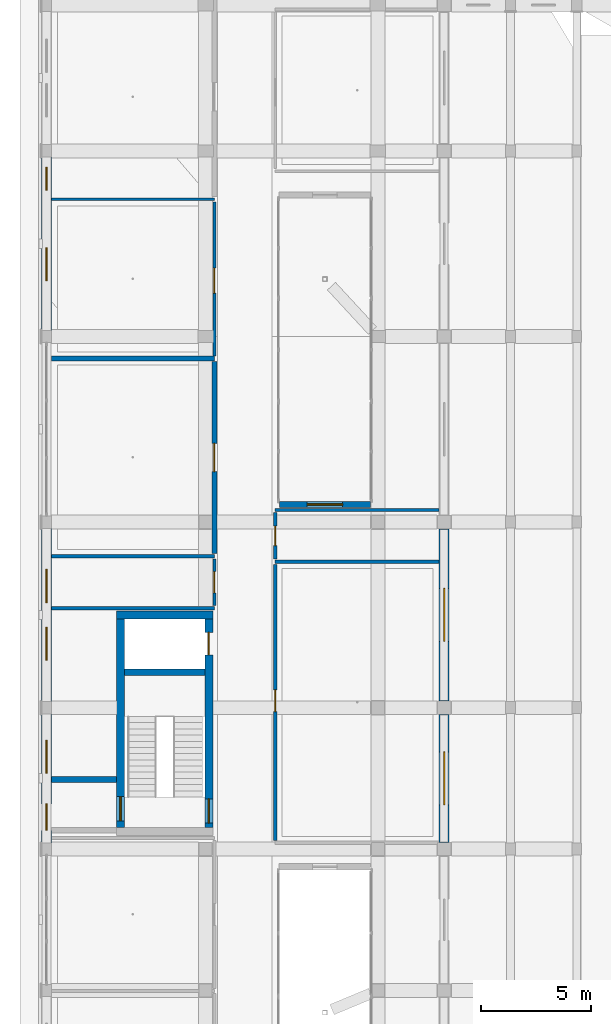
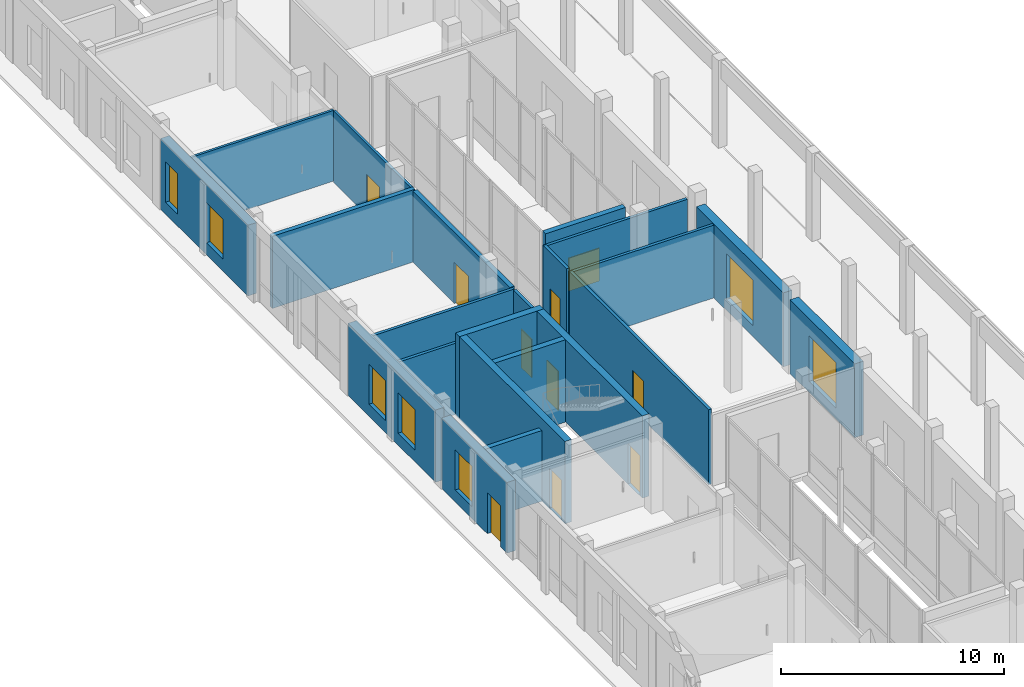
# One storey, part 48 of 88: 22 walls, 9 doors, 8 windows, 17 openings.
"""IFC4 building model written with IfcOpenShell, lengths in metres."""

from ifc_helpers import new_model, si_unit, derived_unit, direction, frame, frame_2d, origin, origin_with_axes, place, context, subcontext, project, spatial, rectangle, extrude, material, layer, layer_set, type_object, element, fill, save


model = new_model("IFC4")

# Units and contexts
model_context = context("Model", 3, precision=1e-05, world=origin(), true_north=direction((0.0, 1.0)))
body_context = subcontext(model_context, "Body", "Model", "MODEL_VIEW")
ifc_project = project(units=[si_unit("LENGTHUNIT", "METRE"), si_unit("AREAUNIT", "SQUARE_METRE"), si_unit("VOLUMEUNIT", "CUBIC_METRE"), si_unit("PLANEANGLEUNIT", "RADIAN"), si_unit("MASSUNIT", "GRAM", prefix="KILO"), derived_unit("THERMALTRANSMITTANCEUNIT", [(si_unit("POWERUNIT", "WATT"), 1), (si_unit("LENGTHUNIT", "METRE"), -2), (si_unit("THERMODYNAMICTEMPERATUREUNIT", "KELVIN"), -1)])], contexts=[model_context])

# Site, building, storey
site_placement = place(None, origin())
site = spatial("IfcSite", under=ifc_project, at=site_placement, CompositionType="ELEMENT")
building_placement = place(site_placement, origin())
building = spatial("IfcBuilding", under=site, at=building_placement, Name="Braskholm Square Health Centre", CompositionType="ELEMENT")
storey_placement = place(building_placement, origin())
storey = spatial("IfcBuildingStorey", under=building, at=storey_placement, Name="L01", CompositionType="ELEMENT", Elevation=0.0)

# Wall, opening, door
ifc_material_1 = material(Name="Acoustic gypsum board partition")
ifc_layer_1 = layer(ifc_material_1, 0.125)
ifc_layer_set_1 = layer_set([ifc_layer_1], Name="Acoustic gypsum board partition")
wall_type_1 = type_object("IfcWallType", Name="ClinicalExamPartition125", PredefinedType="PARTITIONING", material=ifc_layer_set_1)
wall_1_placement = place(storey_placement, frame((11.800048828125, 71.320068359375, 0.0), z_axis=(0.0, 0.0, 1.0), x_axis=(0.0, 1.0, 0.0)))
wall_1 = element("IfcWall", 1, at=wall_1_placement, inside=storey, type_object=wall_type_1, Name="Interior partition PWALL-L01-0040", PredefinedType="PARTITIONING", context=body_context, shape_type="SweptSolid", body=[
    extrude(rectangle(XDim=6.969970703125, YDim=0.125, at=frame_2d((3.48486328125, 0.0))), origin(), (0.0, 0.0, 1.0), 3.89501953125),
])
opening_1_placement = place(wall_1_placement, frame((2.839111328125, 0.0, 0.0)))
opening_1 = element("IfcOpeningElement", 2, at=opening_1_placement, cuts=wall_1, Name="Opening D-26", PredefinedType="OPENING", context=body_context, shape_type="SweptSolid", body=[
    extrude(rectangle(XDim=1.139892578125, YDim=2.219970703125, at=frame_2d((0.56982421875, 1.10986328125))), frame((0.0, 0.072509765625, 0.0), z_axis=(0.0, -1.0, 0.0), x_axis=(1.0, 0.0, 0.0)), (0.0, 0.0, 1.0), 0.14501953125),
])
ifc_material_2 = material(Name="Architectural bronze anodised aluminium", Category="aluminium")
door_type_1 = type_object("IfcDoorType", Name="DoorExamWide1140x2220", OperationType="NOTDEFINED", PredefinedType="DOOR", material=ifc_material_2)
door_1_placement = place(opening_1_placement, origin_with_axes())
door_1 = element("IfcDoor", 3, at=door_1_placement, inside=storey, type_object=door_type_1, Name="Interior door 0017 L01", OperationType="SINGLE_SWING_LEFT", OverallHeight=2.219970703125, OverallWidth=1.139892578125, PredefinedType="DOOR", context=body_context, shape_type="SweptSolid", body=[
    extrude(rectangle(XDim=1.139892578125, YDim=2.219970703125, at=frame_2d((0.56982421875, 1.10986328125))), frame((0.0, 0.02490234375, 0.0), z_axis=(0.0, -1.0, 0.0), x_axis=(1.0, 0.0, 0.0)), (0.0, 0.0, 1.0), 0.050048828125),
])
fill(opening_1, door_1)

# Wall
wall_2_placement = place(storey_placement, frame((4.425048828125, 78.409912109375, 0.0), z_axis=(0.0, 0.0, 1.0), x_axis=(1.0, 0.0, 0.0)))
element("IfcWall", 4, at=wall_2_placement, inside=storey, type_object=wall_type_1, Name="Interior partition PWALL-L01-0041", PredefinedType="PARTITIONING", context=body_context, shape_type="SweptSolid", body=[
    extrude(rectangle(XDim=7.375, YDim=0.125, at=frame_2d((3.6875, 0.0))), origin(), (0.0, 0.0, 1.0), 3.864990234375),
])

# Wall, opening, door
ifc_layer_2 = layer(ifc_material_1, 0.14990234375)
ifc_layer_set_2 = layer_set([ifc_layer_2], Name="Acoustic gypsum board partition")
wall_type_2 = type_object("IfcWallType", Name="CorridorAcousticPartition150", PredefinedType="PARTITIONING", material=ifc_layer_set_2)
wall_3_placement = place(storey_placement, frame((11.800048828125, 60.02001953125, 0.0), z_axis=(0.0, 0.0, 1.0), x_axis=(0.0, 1.0, 0.0)))
wall_3 = element("IfcWall", 5, at=wall_3_placement, inside=storey, type_object=wall_type_2, Name="Interior partition PWALL-L01-0035", PredefinedType="PARTITIONING", context=body_context, shape_type="SweptSolid", body=[
    extrude(rectangle(XDim=2.10986328125, YDim=0.14990234375, at=frame_2d((1.054931640625, 0.0))), origin(), (0.0, 0.0, 1.0), 3.89501953125),
])
opening_2_placement = place(wall_3_placement, frame((0.574951171875, 0.0, 0.0)))
opening_2 = element("IfcOpeningElement", 6, at=opening_2_placement, cuts=wall_3, Name="Opening D-05", PredefinedType="OPENING", context=body_context, shape_type="SweptSolid", body=[
    extrude(rectangle(XDim=0.9599609375, YDim=2.10009765625, at=frame_2d((0.47998046875, 1.050048828125))), frame((0.0, 0.0849609375, 0.0), z_axis=(0.0, -1.0, 0.0), x_axis=(1.0, 0.0, 0.0)), (0.0, 0.0, 1.0), 0.169921875),
])
door_type_2 = type_object("IfcDoorType", Name="DoorAccessibleWC960x2100", OperationType="NOTDEFINED", PredefinedType="DOOR", material=ifc_material_2)
door_2_placement = place(opening_2_placement, origin_with_axes())
door_2 = element("IfcDoor", 7, at=door_2_placement, inside=storey, type_object=door_type_2, Name="Interior door 0015 L01", OperationType="SINGLE_SWING_LEFT", OverallHeight=2.10009765625, OverallWidth=0.9599609375, PredefinedType="DOOR", context=body_context, shape_type="SweptSolid", body=[
    extrude(rectangle(XDim=0.9599609375, YDim=2.10009765625, at=frame_2d((0.47998046875, 1.050048828125))), frame((0.0, 0.02490234375, 0.0), z_axis=(0.0, -1.0, 0.0), x_axis=(1.0, 0.0, 0.0)), (0.0, 0.0, 1.0), 0.050048828125),
])
fill(opening_2, door_2)

# Walls
for number, where, z_axis, x_axis, name in (
    (8, (4.425048828125, 62.25, 0.0), (0.0, 0.0, 1.0), (1.0, 0.0, 0.0), "Interior partition PWALL-L01-0036"),
    (9, (4.425048828125, 59.89990234375, 0.0), (0.0, 0.0, 1.0), (1.0, 0.0, 0.0), "Interior partition PWALL-L01-0037"),
):
    element("IfcWall", number, at=place(storey_placement, frame(where, z_axis=z_axis, x_axis=x_axis)), inside=storey, type_object=wall_type_2, Name=name, PredefinedType="PARTITIONING", context=body_context, shape_type="SweptSolid", body=[
        extrude(rectangle(XDim=7.375, YDim=0.14990234375, at=frame_2d((3.6875, 0.0))), origin(), (0.0, 0.0, 1.0), 3.89501953125),
    ])

# Wall, opening, door
wall_4_placement = place(storey_placement, frame((14.550048828125, 49.39990234375, 0.0), z_axis=(0.0, 0.0, 1.0), x_axis=(0.0, 1.0, 0.0)))
wall_4 = element("IfcWall", 10, at=wall_4_placement, inside=storey, type_object=wall_type_2, Name="Interior partition PWALL-L01-0058", PredefinedType="PARTITIONING", context=body_context, shape_type="SweptSolid", body=[
    extrude(rectangle(XDim=12.47998046875, YDim=0.14990234375, at=frame_2d((6.239990234375, 0.0))), origin(), (0.0, 0.0, 1.0), 4.094970703125),
])
opening_3_placement = place(wall_4_placement, frame((5.824951171875, 0.0, 0.0)))
opening_3 = element("IfcOpeningElement", 11, at=opening_3_placement, cuts=wall_4, Name="Opening D-10", PredefinedType="OPENING", context=body_context, shape_type="SweptSolid", body=[
    extrude(rectangle(XDim=0.97998046875, YDim=2.1201171875, at=frame_2d((0.489990234375, 1.06005859375))), frame((0.0, 0.0849609375, 0.0), z_axis=(0.0, -1.0, 0.0), x_axis=(1.0, 0.0, 0.0)), (0.0, 0.0, 1.0), 0.169921875),
])
door_type_3 = type_object("IfcDoorType", Name="DoorUtilityStore980x2120", OperationType="NOTDEFINED", PredefinedType="DOOR", material=ifc_material_2)
door_3_placement = place(opening_3_placement, frame((0.97998046875, 0.0, 0.0), z_axis=(0.0, 0.0, 1.0), x_axis=(-1.0, 0.0, 0.0)))
door_3 = element("IfcDoor", 12, at=door_3_placement, inside=storey, type_object=door_type_3, Name="Interior door 0026 L01", OperationType="SINGLE_SWING_LEFT", OverallHeight=2.1201171875, OverallWidth=0.97998046875, PredefinedType="DOOR", context=body_context, shape_type="SweptSolid", body=[
    extrude(rectangle(XDim=0.97998046875, YDim=2.1201171875, at=frame_2d((0.489990234375, 1.06005859375))), frame((0.0, 0.02490234375, 0.0), z_axis=(0.0, -1.0, 0.0), x_axis=(1.0, 0.0, 0.0)), (0.0, 0.0, 1.0), 0.050048828125),
])
fill(opening_3, door_3)

# Wall
wall_5_placement = place(storey_placement, frame((14.550048828125, 62.0, 0.0), z_axis=(0.0, 0.0, 1.0), x_axis=(1.0, 0.0, 0.0)))
element("IfcWall", 13, at=wall_5_placement, inside=storey, type_object=wall_type_2, Name="Interior partition PWALL-L01-0060", PredefinedType="PARTITIONING", context=body_context, shape_type="SweptSolid", body=[
    extrude(rectangle(XDim=7.425048828125, YDim=0.14990234375, at=frame_2d((3.71240234375, 0.0))), origin(), (0.0, 0.0, 1.0), 3.97509765625),
])

# Wall, opening, door
wall_6_placement = place(storey_placement, frame((14.550048828125, 62.1201171875, 0.0), z_axis=(0.0, 0.0, 1.0), x_axis=(0.0, 1.0, 0.0)))
wall_6 = element("IfcWall", 14, at=wall_6_placement, inside=storey, type_object=wall_type_2, Name="Interior partition PWALL-L01-0061", PredefinedType="PARTITIONING", context=body_context, shape_type="SweptSolid", body=[
    extrude(rectangle(XDim=2.10986328125, YDim=0.14990234375, at=frame_2d((1.054931640625, 0.0))), origin(), (0.0, 0.0, 1.0), 4.094970703125),
])
opening_4_placement = place(wall_6_placement, frame((0.614990234375, 0.0, 0.0)))
opening_4 = element("IfcOpeningElement", 15, at=opening_4_placement, cuts=wall_6, Name="Opening D-06", PredefinedType="OPENING", context=body_context, shape_type="SweptSolid", body=[
    extrude(rectangle(XDim=0.8798828125, YDim=2.10009765625, at=frame_2d((0.43994140625, 1.050048828125))), frame((0.0, 0.0849609375, 0.0), z_axis=(0.0, -1.0, 0.0), x_axis=(1.0, 0.0, 0.0)), (0.0, 0.0, 1.0), 0.169921875),
])
door_type_4 = type_object("IfcDoorType", Name="DoorStaffWC880x2100", OperationType="NOTDEFINED", PredefinedType="DOOR", material=ifc_material_2)
door_4_placement = place(opening_4_placement, frame((0.8798828125, 0.0, 0.0), z_axis=(0.0, 0.0, 1.0), x_axis=(-1.0, 0.0, 0.0)))
door_4 = element("IfcDoor", 16, at=door_4_placement, inside=storey, type_object=door_type_4, Name="Interior door 0027 L01", OperationType="SINGLE_SWING_RIGHT", OverallHeight=2.10009765625, OverallWidth=0.8798828125, PredefinedType="DOOR", context=body_context, shape_type="SweptSolid", body=[
    extrude(rectangle(XDim=0.8798828125, YDim=2.10009765625, at=frame_2d((0.43994140625, 1.050048828125))), frame((0.0, 0.02490234375, 0.0), z_axis=(0.0, -1.0, 0.0), x_axis=(1.0, 0.0, 0.0)), (0.0, 0.0, 1.0), 0.050048828125),
])
fill(opening_4, door_4)

# Wall
wall_7_placement = place(storey_placement, frame((14.550048828125, 64.35009765625, 0.0), z_axis=(0.0, 0.0, 1.0), x_axis=(1.0, 0.0, 0.0)))
element("IfcWall", 17, at=wall_7_placement, inside=storey, type_object=wall_type_2, Name="Interior partition PWALL-L01-0062", PredefinedType="PARTITIONING", context=body_context, shape_type="SweptSolid", body=[
    extrude(rectangle(XDim=7.425048828125, YDim=0.14990234375, at=frame_2d((3.71240234375, 0.0))), origin(), (0.0, 0.0, 1.0), 3.97509765625),
])

# Wall, openings, door, window
ifc_material_3 = material(Name="Mankato-Kasota dolomitic limestone ashlar", Category="masonry")
ifc_layer_3 = layer(ifc_material_3, 0.449951171875)
ifc_layer_set_3 = layer_set([ifc_layer_3], Name="Mankato-Kasota dolomitic limestone ashlar")
wall_type_3 = type_object("IfcWallType", Name="ExteriorKasotaWall450", PredefinedType="SOLIDWALL", material=ifc_layer_set_3)
wall_8_placement = place(storey_placement, frame((4.199951171875, 55.117919921875, 0.0), z_axis=(0.0, 0.0, 1.0), x_axis=(0.0, -1.0, 0.0)))
wall_8 = element("IfcWall", 18, at=wall_8_placement, inside=storey, type_object=wall_type_3, Name="Exterior wall EWALL-L01-0005", PredefinedType="SOLIDWALL", context=body_context, shape_type="SweptSolid", body=[
    extrude(rectangle(XDim=5.8359375, YDim=0.449951171875, at=frame_2d((2.91796875, 0.0))), origin(), (0.0, 0.0, 1.0), 3.8701171875),
])
opening_5_placement = place(wall_8_placement, frame((4.069091796875, 0.0, 0.0)))
opening_5 = element("IfcOpeningElement", 19, at=opening_5_placement, cuts=wall_8, Name="Opening D-E3", PredefinedType="OPENING", context=body_context, shape_type="SweptSolid", body=[
    extrude(rectangle(XDim=1.199951171875, YDim=2.25, at=frame_2d((0.60009765625, 1.125))), frame((0.0, 0.23486328125, 0.0), z_axis=(0.0, -1.0, 0.0), x_axis=(1.0, 0.0, 0.0)), (0.0, 0.0, 1.0), 0.469970703125),
])
opening_6_placement = place(wall_8_placement, frame((1.195068359375, 0.0, 0.64990234375)))
opening_6 = element("IfcOpeningElement", 20, at=opening_6_placement, cuts=wall_8, Name="Opening WN-03", PredefinedType="OPENING", context=body_context, shape_type="SweptSolid", body=[
    extrude(rectangle(XDim=1.5, YDim=2.199951171875, at=frame_2d((0.75, 1.10009765625))), frame((0.0, 0.23486328125, 0.0), z_axis=(0.0, -1.0, 0.0), x_axis=(1.0, 0.0, 0.0)), (0.0, 0.0, 1.0), 0.469970703125),
])
door_type_5 = type_object("IfcDoorType", Name="DoorStairExitDischarge1200x2250", OperationType="NOTDEFINED", PredefinedType="DOOR", material=ifc_material_2)
door_5_placement = place(opening_5_placement, frame((1.199951171875, 0.0, 0.0), z_axis=(0.0, 0.0, 1.0), x_axis=(-1.0, 0.0, 0.0)))
door_5 = element("IfcDoor", 21, at=door_5_placement, inside=storey, type_object=door_type_5, Name="Exterior door 0002 L01", OperationType="SINGLE_SWING_LEFT", OverallHeight=2.25, OverallWidth=1.199951171875, PredefinedType="DOOR", context=body_context, shape_type="SweptSolid", body=[
    extrude(rectangle(XDim=1.199951171875, YDim=2.25, at=frame_2d((0.60009765625, 1.125))), frame((0.0, 0.02490234375, 0.0), z_axis=(0.0, -1.0, 0.0), x_axis=(1.0, 0.0, 0.0)), (0.0, 0.0, 1.0), 0.050048828125),
])
fill(opening_5, door_5)
ifc_material_4 = material(Name="Low-E triple insulating glass (VLT 0.64)", Category="glass")
window_type_1 = type_object("IfcWindowType", Name="WinArtDecoTwin1500x2200", PartitioningType="SINGLE_PANEL", PredefinedType="WINDOW", material=ifc_material_4)
window_1_placement = place(opening_6_placement, origin_with_axes())
window_1 = element("IfcWindow", 22, at=window_1_placement, inside=storey, type_object=window_type_1, Name="Exterior window 0008 L01", OverallHeight=2.199951171875, OverallWidth=1.5, PartitioningType="SINGLE_PANEL", PredefinedType="WINDOW", context=body_context, shape_type="SweptSolid", body=[
    extrude(rectangle(XDim=1.5, YDim=2.199951171875, at=frame_2d((0.75, 1.10009765625))), frame((0.0, 0.030029296875, 0.0), z_axis=(0.0, -1.0, 0.0), x_axis=(1.0, 0.0, 0.0)), (0.0, 0.0, 1.0), 0.06005859375),
])
fill(opening_6, window_1)

# Wall, openings, windows
wall_9_placement = place(storey_placement, frame((4.199951171875, 63.51806640625, 0.0), z_axis=(0.0, 0.0, 1.0), x_axis=(0.0, -1.0, 0.0)))
wall_9 = element("IfcWall", 23, at=wall_9_placement, inside=storey, type_object=wall_type_3, Name="Exterior wall EWALL-L01-0006", PredefinedType="SOLIDWALL", context=body_context, shape_type="SweptSolid", body=[
    extrude(rectangle(XDim=7.836181640625, YDim=0.449951171875, at=frame_2d((3.91796875, 0.0))), origin(), (0.0, 0.0, 1.0), 3.949951171875),
])
opening_7_placement = place(wall_9_placement, frame((1.862060546875, 0.0, 0.64990234375)))
opening_7 = element("IfcOpeningElement", 24, at=opening_7_placement, cuts=wall_9, Name="Opening WN-03", PredefinedType="OPENING", context=body_context, shape_type="SweptSolid", body=[
    extrude(rectangle(XDim=1.5, YDim=2.199951171875, at=frame_2d((0.75, 1.10009765625))), frame((0.0, 0.23486328125, 0.0), z_axis=(0.0, -1.0, 0.0), x_axis=(1.0, 0.0, 0.0)), (0.0, 0.0, 1.0), 0.469970703125),
])
opening_8_placement = place(wall_9_placement, frame((4.47412109375, 0.0, 0.64990234375)))
opening_8 = element("IfcOpeningElement", 25, at=opening_8_placement, cuts=wall_9, Name="Opening WN-03", PredefinedType="OPENING", context=body_context, shape_type="SweptSolid", body=[
    extrude(rectangle(XDim=1.5, YDim=2.199951171875, at=frame_2d((0.75, 1.10009765625))), frame((0.0, 0.23486328125, 0.0), z_axis=(0.0, -1.0, 0.0), x_axis=(1.0, 0.0, 0.0)), (0.0, 0.0, 1.0), 0.469970703125),
])
window_2_placement = place(opening_7_placement, origin_with_axes())
window_2 = element("IfcWindow", 26, at=window_2_placement, inside=storey, type_object=window_type_1, Name="Exterior window 0009 L01", OverallHeight=2.199951171875, OverallWidth=1.5, PartitioningType="SINGLE_PANEL", PredefinedType="WINDOW", context=body_context, shape_type="SweptSolid", body=[
    extrude(rectangle(XDim=1.5, YDim=2.199951171875, at=frame_2d((0.75, 1.10009765625))), frame((0.0, 0.030029296875, 0.0), z_axis=(0.0, -1.0, 0.0), x_axis=(1.0, 0.0, 0.0)), (0.0, 0.0, 1.0), 0.06005859375),
])
fill(opening_7, window_2)
window_3_placement = place(opening_8_placement, origin_with_axes())
window_3 = element("IfcWindow", 27, at=window_3_placement, inside=storey, type_object=window_type_1, Name="Exterior window 0010 L01", OverallHeight=2.199951171875, OverallWidth=1.5, PartitioningType="SINGLE_PANEL", PredefinedType="WINDOW", context=body_context, shape_type="SweptSolid", body=[
    extrude(rectangle(XDim=1.5, YDim=2.199951171875, at=frame_2d((0.75, 1.10009765625))), frame((0.0, 0.030029296875, 0.0), z_axis=(0.0, -1.0, 0.0), x_axis=(1.0, 0.0, 0.0)), (0.0, 0.0, 1.0), 0.06005859375),
])
fill(opening_8, window_3)

wall_10_placement = place(storey_placement, frame((4.199951171875, 80.318115234375, 0.0), z_axis=(0.0, 0.0, 1.0), x_axis=(0.0, -1.0, 0.0)))
wall_10 = element("IfcWall", 28, at=wall_10_placement, inside=storey, type_object=wall_type_3, Name="Exterior wall EWALL-L01-0007", PredefinedType="SOLIDWALL", context=body_context, shape_type="SweptSolid", body=[
    extrude(rectangle(XDim=7.836181640625, YDim=0.449951171875, at=frame_2d((3.91796875, 0.0))), origin(), (0.0, 0.0, 1.0), 3.8701171875),
])
opening_9_placement = place(wall_10_placement, frame((0.447998046875, 0.0, 0.64990234375)))
opening_9 = element("IfcOpeningElement", 29, at=opening_9_placement, cuts=wall_10, Name="Opening WN-02", PredefinedType="OPENING", context=body_context, shape_type="SweptSolid", body=[
    extrude(rectangle(XDim=1.050048828125, YDim=2.199951171875, at=frame_2d((0.52490234375, 1.10009765625))), frame((0.0, 0.23486328125, 0.0), z_axis=(0.0, -1.0, 0.0), x_axis=(1.0, 0.0, 0.0)), (0.0, 0.0, 1.0), 0.469970703125),
])
opening_10_placement = place(wall_10_placement, frame((4.10400390625, 0.0, 0.64990234375)))
opening_10 = element("IfcOpeningElement", 30, at=opening_10_placement, cuts=wall_10, Name="Opening WN-03", PredefinedType="OPENING", context=body_context, shape_type="SweptSolid", body=[
    extrude(rectangle(XDim=1.5, YDim=2.199951171875, at=frame_2d((0.75, 1.10009765625))), frame((0.0, 0.23486328125, 0.0), z_axis=(0.0, -1.0, 0.0), x_axis=(1.0, 0.0, 0.0)), (0.0, 0.0, 1.0), 0.469970703125),
])
window_type_2 = type_object("IfcWindowType", Name="WinArtDecoLancet1050x2200", PartitioningType="SINGLE_PANEL", PredefinedType="WINDOW", material=ifc_material_4)
window_4_placement = place(opening_9_placement, origin_with_axes())
window_4 = element("IfcWindow", 31, at=window_4_placement, inside=storey, type_object=window_type_2, Name="Exterior window 0011 L01", OverallHeight=2.199951171875, OverallWidth=1.050048828125, PartitioningType="SINGLE_PANEL", PredefinedType="WINDOW", context=body_context, shape_type="SweptSolid", body=[
    extrude(rectangle(XDim=1.050048828125, YDim=2.199951171875, at=frame_2d((0.52490234375, 1.10009765625))), frame((0.0, 0.030029296875, 0.0), z_axis=(0.0, -1.0, 0.0), x_axis=(1.0, 0.0, 0.0)), (0.0, 0.0, 1.0), 0.06005859375),
])
fill(opening_9, window_4)
window_5_placement = place(opening_10_placement, origin_with_axes())
window_5 = element("IfcWindow", 32, at=window_5_placement, inside=storey, type_object=window_type_1, Name="Exterior window 0012 L01", OverallHeight=2.199951171875, OverallWidth=1.5, PartitioningType="SINGLE_PANEL", PredefinedType="WINDOW", context=body_context, shape_type="SweptSolid", body=[
    extrude(rectangle(XDim=1.5, YDim=2.199951171875, at=frame_2d((0.75, 1.10009765625))), frame((0.0, 0.030029296875, 0.0), z_axis=(0.0, -1.0, 0.0), x_axis=(1.0, 0.0, 0.0)), (0.0, 0.0, 1.0), 0.06005859375),
])
fill(opening_10, window_5)

# Wall, opening, window
wall_11_placement = place(storey_placement, frame((22.199951171875, 49.302001953125, 0.0), z_axis=(0.0, 0.0, 1.0), x_axis=(0.0, 1.0, 0.0)))
wall_11 = element("IfcWall", 33, at=wall_11_placement, inside=storey, type_object=wall_type_3, Name="Exterior wall EWALL-L01-0101", PredefinedType="SOLIDWALL", context=body_context, shape_type="SweptSolid", body=[
    extrude(rectangle(XDim=5.7958984375, YDim=0.449951171875, at=frame_2d((2.89794921875, 0.0))), origin(), (0.0, 0.0, 1.0), 4.0400390625),
])
opening_11_placement = place(wall_11_placement, frame((1.697998046875, 0.0, 0.60009765625)))
opening_11 = element("IfcOpeningElement", 34, at=opening_11_placement, cuts=wall_11, Name="Opening WN-05", PredefinedType="OPENING", context=body_context, shape_type="SweptSolid", body=[
    extrude(rectangle(XDim=2.39990234375, YDim=2.5, at=frame_2d((1.199951171875, 1.25))), frame((0.0, 0.23486328125, 0.0), z_axis=(0.0, -1.0, 0.0), x_axis=(1.0, 0.0, 0.0)), (0.0, 0.0, 1.0), 0.469970703125),
])
window_type_3 = type_object("IfcWindowType", Name="WinStorefrontSquare2400x2500", PartitioningType="SINGLE_PANEL", PredefinedType="WINDOW", material=ifc_material_4)
window_6_placement = place(opening_11_placement, origin_with_axes())
window_6 = element("IfcWindow", 35, at=window_6_placement, inside=storey, type_object=window_type_3, Name="Exterior window 0173 L01", OverallHeight=2.5, OverallWidth=2.39990234375, PartitioningType="SINGLE_PANEL", PredefinedType="WINDOW", context=body_context, shape_type="SweptSolid", body=[
    extrude(rectangle(XDim=2.39990234375, YDim=2.5, at=frame_2d((1.199951171875, 1.25))), frame((0.0, 0.030029296875, 0.0), z_axis=(0.0, -1.0, 0.0), x_axis=(1.0, 0.0, 0.0)), (0.0, 0.0, 1.0), 0.06005859375),
])
fill(opening_11, window_6)

wall_12_placement = place(storey_placement, frame((22.199951171875, 55.701904296875, 0.0), z_axis=(0.0, 0.0, 1.0), x_axis=(0.0, 1.0, 0.0)))
wall_12 = element("IfcWall", 36, at=wall_12_placement, inside=storey, type_object=wall_type_3, Name="Exterior wall EWALL-L01-0102", PredefinedType="SOLIDWALL", context=body_context, shape_type="SweptSolid", body=[
    extrude(rectangle(XDim=7.796142578125, YDim=0.449951171875, at=frame_2d((3.89794921875, 0.0))), origin(), (0.0, 0.0, 1.0), 4.0400390625),
])
opening_12_placement = place(wall_12_placement, frame((2.697998046875, 0.0, 0.60009765625)))
opening_12 = element("IfcOpeningElement", 37, at=opening_12_placement, cuts=wall_12, Name="Opening WN-05", PredefinedType="OPENING", context=body_context, shape_type="SweptSolid", body=[
    extrude(rectangle(XDim=2.39990234375, YDim=2.5, at=frame_2d((1.199951171875, 1.25))), frame((0.0, 0.23486328125, 0.0), z_axis=(0.0, -1.0, 0.0), x_axis=(1.0, 0.0, 0.0)), (0.0, 0.0, 1.0), 0.469970703125),
])
window_7_placement = place(opening_12_placement, origin_with_axes())
window_7 = element("IfcWindow", 38, at=window_7_placement, inside=storey, type_object=window_type_3, Name="Exterior window 0174 L01", OverallHeight=2.5, OverallWidth=2.39990234375, PartitioningType="SINGLE_PANEL", PredefinedType="WINDOW", context=body_context, shape_type="SweptSolid", body=[
    extrude(rectangle(XDim=2.39990234375, YDim=2.5, at=frame_2d((1.199951171875, 1.25))), frame((0.0, 0.030029296875, 0.0), z_axis=(0.0, -1.0, 0.0), x_axis=(1.0, 0.0, 0.0)), (0.0, 0.0, 1.0), 0.06005859375),
])
fill(opening_12, window_7)

ifc_material_5 = material(Name="Precast concrete C40/50 architectural white", Category="concrete")
ifc_layer_4 = layer(ifc_material_5, 0.280029296875)
ifc_layer_set_4 = layer_set([ifc_layer_4], Name="Precast concrete C40/50 architectural white")
wall_type_4 = type_object("IfcWallType", Name="ExteriorPrecastSpandrelWall280", PredefinedType="SOLIDWALL", material=ifc_layer_set_4)
wall_13_placement = place(storey_placement, frame((18.865966796875, 64.60009765625, 0.0), z_axis=(0.0, 0.0, 1.0), x_axis=(-1.0, 0.0, 0.0)))
wall_13 = element("IfcWall", 39, at=wall_13_placement, inside=storey, type_object=wall_type_4, Name="Exterior wall EWALL-L01-0295", PredefinedType="SOLIDWALL", context=body_context, shape_type="SweptSolid", body=[
    extrude(rectangle(XDim=4.132080078125, YDim=0.280029296875, at=frame_2d((2.06591796875, 0.0))), origin(), (0.0, 0.0, 1.0), 4.5),
])
opening_13_placement = place(wall_13_placement, frame((1.26611328125, 0.0, 0.85009765625)))
opening_13 = element("IfcOpeningElement", 40, at=opening_13_placement, cuts=wall_13, Name="Opening WN-27", PredefinedType="OPENING", context=body_context, shape_type="SweptSolid", body=[
    extrude(rectangle(XDim=1.60009765625, YDim=1.800048828125, at=frame_2d((0.800048828125, 0.89990234375))), frame((0.0, 0.14990234375, 0.0), z_axis=(0.0, -1.0, 0.0), x_axis=(1.0, 0.0, 0.0)), (0.0, 0.0, 1.0), 0.300048828125),
])
window_type_4 = type_object("IfcWindowType", Name="WinLightCourt1600x1800", PartitioningType="SINGLE_PANEL", PredefinedType="WINDOW", material=ifc_material_4)
window_8_placement = place(opening_13_placement, origin_with_axes())
window_8 = element("IfcWindow", 41, at=window_8_placement, inside=storey, type_object=window_type_4, Name="Exterior window 0341 L01", OverallHeight=1.800048828125, OverallWidth=1.60009765625, PartitioningType="SINGLE_PANEL", PredefinedType="WINDOW", context=body_context, shape_type="SweptSolid", body=[
    extrude(rectangle(XDim=1.60009765625, YDim=1.800048828125, at=frame_2d((0.800048828125, 0.89990234375))), frame((0.0, 0.030029296875, 0.0), z_axis=(0.0, -1.0, 0.0), x_axis=(1.0, 0.0, 0.0)), (0.0, 0.0, 1.0), 0.06005859375),
])
fill(opening_13, window_8)

# Wall
ifc_material_6 = material(Name="Concrete C35/45 (f'c = 35 MPa)", Category="concrete")
ifc_layer_5 = layer(ifc_material_6, 0.25)
ifc_layer_set_5 = layer_set([ifc_layer_5], Name="Concrete C35/45 (f'c = 35 MPa)")
wall_type_5 = type_object("IfcWallType", Name="FireBarrierWall250", PredefinedType="SOLIDWALL", material=ifc_layer_set_5)
wall_14_placement = place(storey_placement, frame((4.425048828125, 52.14990234375, 0.0), z_axis=(0.0, 0.0, 1.0), x_axis=(1.0, 0.0, 0.0)))
element("IfcWall", 42, at=wall_14_placement, inside=storey, type_object=wall_type_5, Name="Interior partition PWALL-L01-0019", PredefinedType="SOLIDWALL", context=body_context, shape_type="SweptSolid", body=[
    extrude(rectangle(XDim=2.945068359375, YDim=0.25, at=frame_2d((1.47265625, 0.0))), origin(), (0.0, 0.0, 1.0), 3.864990234375),
])

# Wall, opening, door
ifc_material_7 = material(Name="Fire-rated gypsum board barrier")
ifc_layer_6 = layer(ifc_material_7, 0.22509765625)
ifc_layer_set_6 = layer_set([ifc_layer_6], Name="Fire-rated gypsum board barrier")
wall_type_6 = type_object("IfcWallType", Name="ImagingShieldedWall225", PredefinedType="SOLIDWALL", material=ifc_layer_set_6)
wall_15_placement = place(storey_placement, frame((11.800048828125, 62.3701171875, 0.0), z_axis=(0.0, 0.0, 1.0), x_axis=(0.0, 1.0, 0.0)))
wall_15 = element("IfcWall", 43, at=wall_15_placement, inside=storey, type_object=wall_type_6, Name="Interior partition PWALL-L01-0038", PredefinedType="SOLIDWALL", context=body_context, shape_type="SweptSolid", body=[
    extrude(rectangle(XDim=8.7099609375, YDim=0.22509765625, at=frame_2d((4.35498046875, 0.0))), origin(), (0.0, 0.0, 1.0), 3.89501953125),
])
opening_14_placement = place(wall_15_placement, frame((3.715087890625, 0.0, 0.0)))
opening_14 = element("IfcOpeningElement", 44, at=opening_14_placement, cuts=wall_15, Name="Opening D-20", PredefinedType="OPENING", context=body_context, shape_type="SweptSolid", body=[
    extrude(rectangle(XDim=1.280029296875, YDim=2.25, at=frame_2d((0.64013671875, 1.125))), frame((0.0, 0.12255859375, 0.0), z_axis=(0.0, -1.0, 0.0), x_axis=(1.0, 0.0, 0.0)), (0.0, 0.0, 1.0), 0.2451171875),
])
door_type_6 = type_object("IfcDoorType", Name="DoorLeadXRay1280x2250", OperationType="NOTDEFINED", PredefinedType="DOOR", material=ifc_material_2)
door_6_placement = place(opening_14_placement, origin_with_axes())
door_6 = element("IfcDoor", 45, at=door_6_placement, inside=storey, type_object=door_type_6, Name="Interior door 0016 L01", OperationType="SINGLE_SWING_RIGHT", OverallHeight=2.25, OverallWidth=1.280029296875, PredefinedType="DOOR", context=body_context, shape_type="SweptSolid", body=[
    extrude(rectangle(XDim=1.280029296875, YDim=2.25, at=frame_2d((0.64013671875, 1.125))), frame((0.0, 0.02490234375, 0.0), z_axis=(0.0, -1.0, 0.0), x_axis=(1.0, 0.0, 0.0)), (0.0, 0.0, 1.0), 0.050048828125),
])
fill(opening_14, door_6)

# Walls
wall_16_placement = place(storey_placement, frame((4.425048828125, 71.199951171875, 0.0), z_axis=(0.0, 0.0, 1.0), x_axis=(1.0, 0.0, 0.0)))
element("IfcWall", 46, at=wall_16_placement, inside=storey, type_object=wall_type_6, Name="Interior partition PWALL-L01-0039", PredefinedType="SOLIDWALL", context=body_context, shape_type="SweptSolid", body=[
    extrude(rectangle(XDim=7.375, YDim=0.22509765625, at=frame_2d((3.6875, 0.0))), origin(), (0.0, 0.0, 1.0), 3.945068359375),
])
ifc_material_8 = material(Name="Concrete C40/50 (f'c = 40 MPa)", Category="concrete")
ifc_layer_7 = layer(ifc_material_8, 0.300048828125)
ifc_layer_set_7 = layer_set([ifc_layer_7], Name="Concrete C40/50 (f'c = 40 MPa)")
wall_type_7 = type_object("IfcWallType", Name="ShearCoreWall300", PredefinedType="SHEAR", material=ifc_layer_set_7)
wall_17_placement = place(storey_placement, frame((7.72509765625, 57.0, 0.0), z_axis=(0.0, 0.0, 1.0), x_axis=(1.0, 0.0, 0.0)))
element("IfcWall", 47, at=wall_17_placement, inside=storey, type_object=wall_type_7, Name="Core K2 internal shear divider L01", PredefinedType="SHEAR", context=body_context, shape_type="SweptSolid", body=[
    extrude(rectangle(XDim=3.64990234375, YDim=0.300048828125, at=frame_2d((1.824951171875, 0.0))), origin(), (0.0, 0.0, 1.0), 4.5),
])
ifc_layer_8 = layer(ifc_material_8, 0.35009765625)
ifc_layer_set_8 = layer_set([ifc_layer_8], Name="Concrete C40/50 (f'c = 40 MPa)")
wall_type_8 = type_object("IfcWallType", Name="ShearCoreWall350", PredefinedType="SHEAR", material=ifc_layer_set_8)
wall_18_placement = place(storey_placement, frame((11.72509765625, 59.60009765625, 0.0), z_axis=(0.0, 0.0, 1.0), x_axis=(-1.0, 0.0, 0.0)))
element("IfcWall", 48, at=wall_18_placement, inside=storey, type_object=wall_type_8, Name="CWALL-K2-L01 north wall", PredefinedType="SHEAR", context=body_context, shape_type="SweptSolid", body=[
    extrude(rectangle(XDim=4.35009765625, YDim=0.35009765625, at=frame_2d((2.175048828125, 0.0))), origin(), (0.0, 0.0, 1.0), 4.5),
])

# Wall, opening, door
wall_19_placement = place(storey_placement, frame((7.550048828125, 59.425048828125, 0.0), z_axis=(0.0, 0.0, 1.0), x_axis=(0.0, -1.0, 0.0)))
wall_19 = element("IfcWall", 49, at=wall_19_placement, inside=storey, type_object=wall_type_8, Name="CWALL-K2-L01 west wall", PredefinedType="SHEAR", context=body_context, shape_type="SweptSolid", body=[
    extrude(rectangle(XDim=9.449951171875, YDim=0.35009765625, at=frame_2d((4.72509765625, 0.0))), origin(), (0.0, 0.0, 1.0), 4.5),
])
opening_15_placement = place(wall_19_placement, frame((8.050048828125, 0.0, 0.0)))
opening_15 = element("IfcOpeningElement", 50, at=opening_15_placement, cuts=wall_19, Name="Opening D-22", PredefinedType="OPENING", context=body_context, shape_type="SweptSolid", body=[
    extrude(rectangle(XDim=1.10009765625, YDim=2.199951171875, at=frame_2d((0.550048828125, 1.10009765625))), frame((0.0, 0.18505859375, 0.0), z_axis=(0.0, -1.0, 0.0), x_axis=(1.0, 0.0, 0.0)), (0.0, 0.0, 1.0), 0.3701171875),
])
door_type_7 = type_object("IfcDoorType", Name="DoorStairEnclosure1100x2200", OperationType="NOTDEFINED", PredefinedType="DOOR", material=ifc_material_2)
door_7_placement = place(opening_15_placement, frame((1.10009765625, 0.0, 0.0), z_axis=(0.0, 0.0, 1.0), x_axis=(-1.0, 0.0, 0.0)))
door_7 = element("IfcDoor", 51, at=door_7_placement, inside=storey, type_object=door_type_7, Name="Stair ST-02 protected exit passage door", OperationType="SINGLE_SWING_LEFT", OverallHeight=2.199951171875, OverallWidth=1.10009765625, PredefinedType="DOOR", context=body_context, shape_type="SweptSolid", body=[
    extrude(rectangle(XDim=1.10009765625, YDim=2.199951171875, at=frame_2d((0.550048828125, 1.10009765625))), frame((0.0, 0.02490234375, 0.0), z_axis=(0.0, -1.0, 0.0), x_axis=(1.0, 0.0, 0.0)), (0.0, 0.0, 1.0), 0.050048828125),
])
fill(opening_15, door_7)

# Wall, openings, doors
wall_20_placement = place(storey_placement, frame((11.550048828125, 49.97509765625, 0.0), z_axis=(0.0, 0.0, 1.0), x_axis=(0.0, 1.0, 0.0)))
wall_20 = element("IfcWall", 52, at=wall_20_placement, inside=storey, type_object=wall_type_8, Name="CWALL-K2-L01 east wall", PredefinedType="SHEAR", context=body_context, shape_type="SweptSolid", body=[
    extrude(rectangle(XDim=9.449951171875, YDim=0.35009765625, at=frame_2d((4.72509765625, 0.0))), origin(), (0.0, 0.0, 1.0), 4.5),
])
opening_16_placement = place(wall_20_placement, frame((0.199951171875, 0.0, 0.0)))
opening_16 = element("IfcOpeningElement", 53, at=opening_16_placement, cuts=wall_20, Name="Opening D-22", PredefinedType="OPENING", context=body_context, shape_type="SweptSolid", body=[
    extrude(rectangle(XDim=1.10009765625, YDim=2.199951171875, at=frame_2d((0.550048828125, 1.10009765625))), frame((0.0, 0.18505859375, 0.0), z_axis=(0.0, -1.0, 0.0), x_axis=(1.0, 0.0, 0.0)), (0.0, 0.0, 1.0), 0.3701171875),
])
opening_17_placement = place(wall_20_placement, frame((7.81494140625, 0.0, 0.0)))
opening_17 = element("IfcOpeningElement", 54, at=opening_17_placement, cuts=wall_20, Name="Opening LD-2", PredefinedType="OPENING", context=body_context, shape_type="SweptSolid", body=[
    extrude(rectangle(XDim=1.02001953125, YDim=2.14990234375, at=frame_2d((0.510009765625, 1.074951171875))), frame((0.0, 0.18505859375, 0.0), z_axis=(0.0, -1.0, 0.0), x_axis=(1.0, 0.0, 0.0)), (0.0, 0.0, 1.0), 0.3701171875),
])
door_type_8 = type_object("IfcDoorType", Name="DoorLiftLandingPassenger1020x2150", OperationType="SLIDING_TO_LEFT", PredefinedType="DOOR", material=ifc_material_2)
door_8_placement = place(opening_17_placement, origin_with_axes())
door_8 = element("IfcDoor", 55, at=door_8_placement, inside=storey, type_object=door_type_8, Name="Elevator EL-04 sliding landing door L01", OperationType="SLIDING_TO_LEFT", OverallHeight=2.14990234375, OverallWidth=1.02001953125, PredefinedType="DOOR", context=body_context, shape_type="SweptSolid", body=[
    extrude(rectangle(XDim=1.02001953125, YDim=2.14990234375, at=frame_2d((0.510009765625, 1.074951171875))), frame((0.0, 0.02490234375, 0.0), z_axis=(0.0, -1.0, 0.0), x_axis=(1.0, 0.0, 0.0)), (0.0, 0.0, 1.0), 0.050048828125),
])
fill(opening_17, door_8)
door_9_placement = place(opening_16_placement, origin_with_axes())
door_9 = element("IfcDoor", 56, at=door_9_placement, inside=storey, type_object=door_type_7, Name="Stair ST-02 door L01", OperationType="SINGLE_SWING_RIGHT", OverallHeight=2.199951171875, OverallWidth=1.10009765625, PredefinedType="DOOR", context=body_context, shape_type="SweptSolid", body=[
    extrude(rectangle(XDim=1.10009765625, YDim=2.199951171875, at=frame_2d((0.550048828125, 1.10009765625))), frame((0.0, 0.02490234375, 0.0), z_axis=(0.0, -1.0, 0.0), x_axis=(1.0, 0.0, 0.0)), (0.0, 0.0, 1.0), 0.050048828125),
])
fill(opening_16, door_9)

save(model, "model.ifc")
